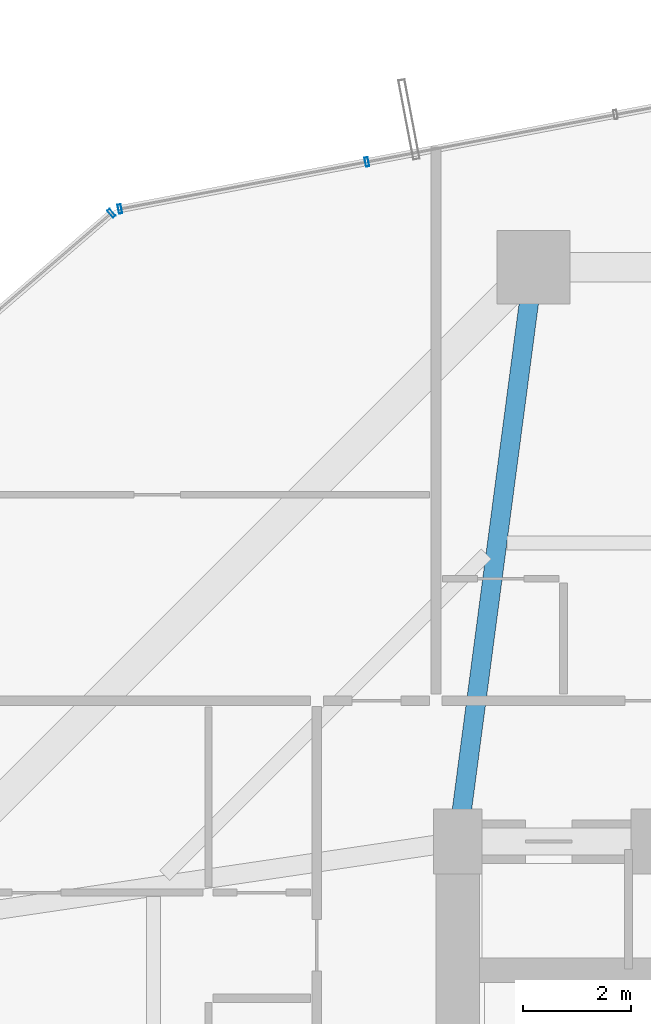
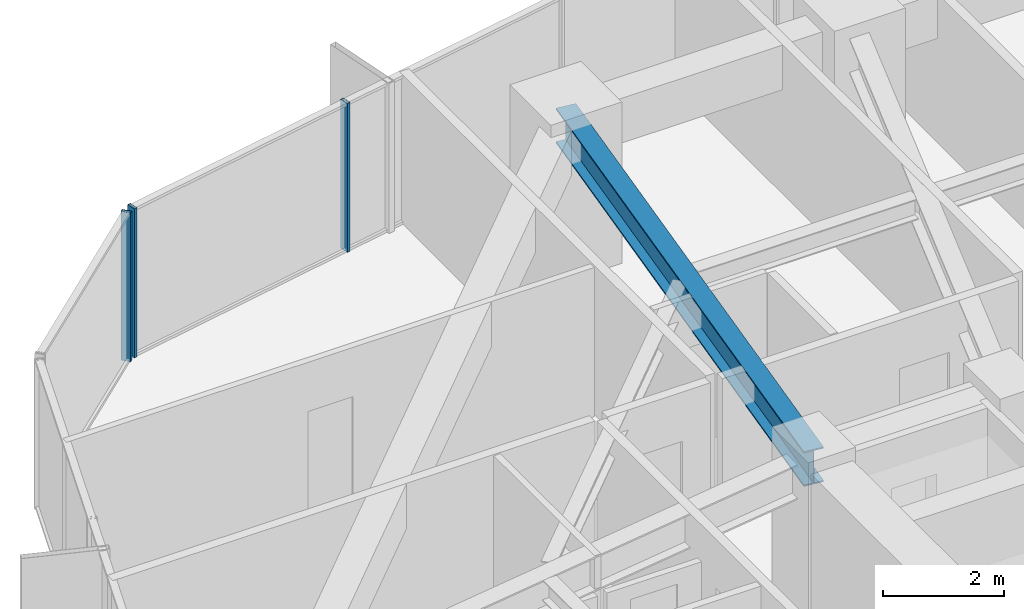
# One storey, part 23 of 38: 3 members, 1 beam, 2 elements without a shape of their own.
"""IFC4 building model written with IfcOpenShell, lengths in metres."""

from ifc_helpers import new_model, si_unit, direction, frame, origin, origin_2d, place, context, subcontext, project, spatial, hollow_rectangle, i_section, extrude, source, transform, mapped, material, layer, layer_set, material_profile, profile_set, type_object, element, aggregate, save


model = new_model("IFC4")

# Units and contexts
model_context = context("Model", 3, precision=1e-05, world=origin(), true_north=direction((0.0, 1.0)))
body_context = subcontext(model_context, "Body", "Model", "MODEL_VIEW")
ifc_project = project(units=[si_unit("LENGTHUNIT", "METRE"), si_unit("AREAUNIT", "SQUARE_METRE"), si_unit("VOLUMEUNIT", "CUBIC_METRE"), si_unit("PLANEANGLEUNIT", "RADIAN"), si_unit("MASSUNIT", "GRAM", prefix="KILO")], contexts=[model_context])

# Site, building, storey
site_placement = place(None, origin())
site = spatial("IfcSite", under=ifc_project, at=site_placement, CompositionType="ELEMENT")
building_placement = place(site_placement, origin())
building = spatial("IfcBuilding", under=site, at=building_placement, Name="Veraguas Prism Commons", CompositionType="ELEMENT")
storey_placement = place(building_placement, frame((0.0, 0.0, 60.85009765625)))
storey = spatial("IfcBuildingStorey", under=building, at=storey_placement, Name="L16", CompositionType="ELEMENT", Elevation=60.85009765625)

# Beam
ifc_material_1 = material(Name="Steel ASTM A992 Grade 50", Category="steel")
ifc_material_profile_1 = material_profile(ifc_material_1, i_section(OverallWidth=0.35595703125, OverallDepth=0.700927734375, WebThickness=0.016845703125, FlangeThickness=0.02734375, at=origin_2d()), Name="W690X240")
ifc_profile_set_1 = profile_set([ifc_material_profile_1], Name="Steel ASTM A992 Grade 50")
beam_type = type_object("IfcBeamType", Name="Zone 1 Radial Girder W690x240", PredefinedType="BEAM", material=ifc_profile_set_1)
beam_placement = place(storey_placement, frame((18.60009765625, 41.60009765625, 2.6494140625), z_axis=(-0.130950648891, -0.991388888154, 0.0), x_axis=(0.991388888154, -0.130950648891, 0.0)))
element("IfcBeam", 1, at=beam_placement, inside=storey, type_object=beam_type, Name="Radial Floor Girder L16-RD06", PredefinedType="BEAM", context=body_context, shape_type="SweptSolid", body=[
    extrude(i_section(OverallWidth=0.35595703125, OverallDepth=0.700927734375, WebThickness=0.016845703125, FlangeThickness=0.02734375, at=origin_2d()), origin(), (0.0, 0.0, 1.0), 10.692138671875),
])

# Curtain wall, members
ifc_material_2 = material(Name="Anodised aluminium EN AW-6063 T6", Category="aluminium")
ifc_layer = layer(ifc_material_2, 0.169921875, Name="Unitised Flush Curtain Wall Zone 1", Category="aluminium")
ifc_layer_set = layer_set([ifc_layer], Name="Anodised aluminium EN AW-6063 T6")
curtain_wall_type = type_object("IfcCurtainWallType", Name="Unitised Flush Curtain Wall Zone 1", PredefinedType="NOTDEFINED", material=ifc_layer_set)
curtain_wall_1_placement = place(storey_placement, origin())
curtain_wall_1 = element("IfcCurtainWall", 2, at=curtain_wall_1_placement, inside=storey, type_object=curtain_wall_type, Name="Tower Facade Curtain Wall L16-F2", PredefinedType="NOTDEFINED")
ifc_material_profile_2 = material_profile(ifc_material_2, hollow_rectangle(XDim=0.06005859375, YDim=0.169921875, WallThickness=0.00390625, at=origin_2d()), Name="AL60X170X4")
ifc_profile_set_2 = profile_set([ifc_material_profile_2], Name="Anodised aluminium EN AW-6063 T6")
member_type = type_object("IfcMemberType", Name="Curtain Wall Mullion Lower AL 60x170x4", PredefinedType="MULLION", material=ifc_profile_set_2)
shared_shape = source(origin(), body_context, "Body", "SweptSolid", [
    extrude(hollow_rectangle(XDim=0.06005859375, YDim=0.169921875, WallThickness=0.00390625, at=origin_2d()), origin(), (0.0, 0.0, 1.0), 3.0),
])
member_1_placement = place(storey_placement, frame((15.52392578125, 43.544189453125, 0.0), z_axis=(0.0, 0.0, 1.0), x_axis=(-0.982352599301, -0.187038420242, 0.0)))
member_1 = element("IfcMember", 3, at=member_1_placement, type_object=member_type, Name="CW-Z1 Mullion 4", PredefinedType="MULLION", context=body_context, shape_type="MappedRepresentation", body=[
    mapped(shared_shape, transform((0.0, 0.0, 0.0), scale=1.0)),
])
member_2_placement = place(storey_placement, frame((10.96484375, 42.676025390625, 0.0), z_axis=(0.0, 0.0, 1.0), x_axis=(-0.982352599301, -0.187038420242, 0.0)))
member_2 = element("IfcMember", 4, at=member_2_placement, type_object=member_type, Name="CW-Z1 Mullion 5", PredefinedType="MULLION", context=body_context, shape_type="MappedRepresentation", body=[
    mapped(shared_shape, transform((0.0, 0.0, 0.0), scale=1.0)),
])
aggregate(curtain_wall_1, [member_1, member_2])

# Curtain wall, member
curtain_wall_2_placement = place(storey_placement, origin())
curtain_wall_2 = element("IfcCurtainWall", 5, at=curtain_wall_2_placement, inside=storey, type_object=curtain_wall_type, Name="Chamfer Curtain Wall L16-C3", PredefinedType="NOTDEFINED")
member_3_placement = place(storey_placement, frame((10.808349609375, 42.6005859375, 0.0), z_axis=(0.0, 0.0, 1.0), x_axis=(-0.757232216056, -0.653145750171, 0.0)))
member_3 = element("IfcMember", 6, at=member_3_placement, type_object=member_type, Name="CW-Z1 Mullion 1", PredefinedType="MULLION", context=body_context, shape_type="MappedRepresentation", body=[
    mapped(shared_shape, transform((0.0, 0.0, 0.0), scale=1.0)),
])
aggregate(curtain_wall_2, [member_3])

save(model, "model.ifc")
